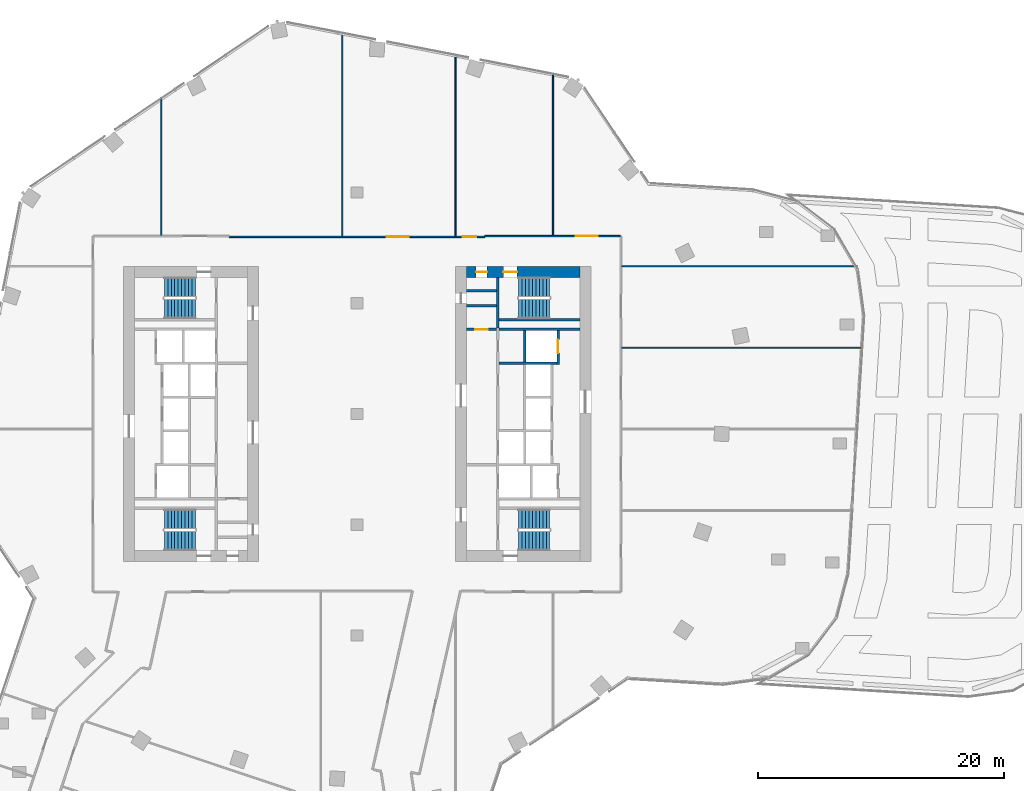
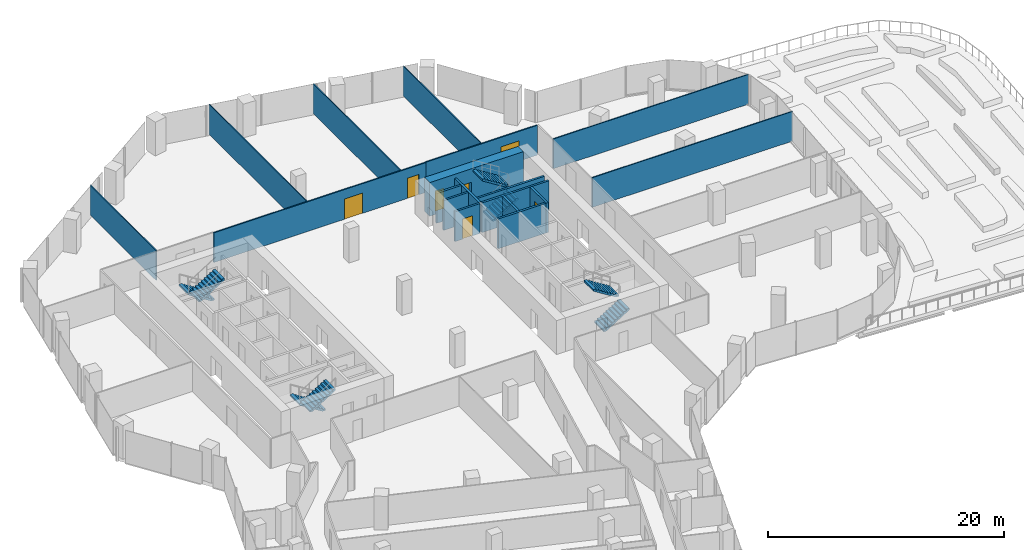
# One storey, part 23 of 26: 18 walls, 8 stair flights, 7 doors, 7 openings, 4 elements without a shape of their own.
"""IFC4 building model written with IfcOpenShell, lengths in metres."""

from ifc_helpers import new_model, si_unit, direction, frame, frame_2d, origin, place, context, subcontext, project, spatial, polyline, rectangle, outline, extrude, material, layer, layer_set, type_object, element, fill, aggregate, save


model = new_model("IFC4")

# Units and contexts
model_context = context("Model", 3, precision=1e-05, world=origin(), true_north=direction((0.0, 1.0)))
body_context = subcontext(model_context, "Body", "Model", "MODEL_VIEW")
ifc_project = project(units=[si_unit("LENGTHUNIT", "METRE"), si_unit("AREAUNIT", "SQUARE_METRE"), si_unit("VOLUMEUNIT", "CUBIC_METRE"), si_unit("PLANEANGLEUNIT", "RADIAN"), si_unit("MASSUNIT", "GRAM", prefix="KILO")], contexts=[model_context])

# Site, building, storey
site_placement = place(None, origin())
site = spatial("IfcSite", under=ifc_project, at=site_placement, CompositionType="ELEMENT")
building_placement = place(site_placement, origin())
building = spatial("IfcBuilding", under=site, at=building_placement, Name="Orlundy Tower", CompositionType="ELEMENT")
storey_placement = place(building_placement, frame((0.0, 0.0, 156.10009765625)))
storey = spatial("IfcBuildingStorey", under=building, at=storey_placement, Name="L40", CompositionType="ELEMENT", Elevation=156.10009765625)

# Wall, openings, doors
ifc_material_1 = material(Name="Concrete C70/85", Category="concrete")
ifc_layer_1 = layer(ifc_material_1, 0.89990234375)
ifc_layer_set_1 = layer_set([ifc_layer_1], Name="CORE WALL 900 C70/85")
wall_type_1 = type_object("IfcWallType", Name="CORE WALL 900 C70/85", PredefinedType="SHEAR", material=ifc_layer_set_1)
wall_1_placement = place(storey_placement, frame((8.89990234375, 11.550048828125, 0.0), z_axis=(0.0, 0.0, 1.0), x_axis=(1.0, 0.0, 0.0)))
wall_1 = element("IfcWall", 1, at=wall_1_placement, inside=storey, type_object=wall_type_1, Name="Core wall E-N L40", PredefinedType="SHEAR", context=body_context, shape_type="SweptSolid", body=[
    extrude(rectangle(XDim=9.2001953125, YDim=0.89990234375, at=frame_2d((4.60009765625, 0.0))), origin(), (0.0, 0.0, 1.0), 3.5),
])
opening_1_placement = place(wall_1_placement, frame((3.0, 0.0, 0.0)))
opening_1 = element("IfcOpeningElement", 2, at=opening_1_placement, cuts=wall_1, Name="Opening 31062", PredefinedType="OPENING", context=body_context, shape_type="SweptSolid", body=[
    extrude(rectangle(XDim=1.10009765625, YDim=2.10009765625, at=frame_2d((0.550048828125, 1.050048828125))), frame((0.0, 0.4599609375, 0.0), z_axis=(0.0, -1.0, 0.0), x_axis=(1.0, 0.0, 0.0)), (0.0, 0.0, 1.0), 0.919921875),
])
opening_2_placement = place(wall_1_placement, frame((0.77001953125, 0.0, 0.0)))
opening_2 = element("IfcOpeningElement", 3, at=opening_2_placement, cuts=wall_1, Name="Opening 31064", PredefinedType="OPENING", context=body_context, shape_type="SweptSolid", body=[
    extrude(rectangle(XDim=0.89990234375, YDim=2.10009765625, at=frame_2d((0.449951171875, 1.050048828125))), frame((0.0, 0.4599609375, 0.0), z_axis=(0.0, -1.0, 0.0), x_axis=(1.0, 0.0, 0.0)), (0.0, 0.0, 1.0), 0.919921875),
])
ifc_material_2 = material(Name="Timber door set", Category="wood")
door_type_1 = type_object("IfcDoorType", Name="Room Door 900x2100", OperationType="SINGLE_SWING_LEFT", PredefinedType="DOOR", material=ifc_material_2)
door_1_placement = place(opening_2_placement, origin())
door_1 = element("IfcDoor", 4, at=door_1_placement, inside=storey, type_object=door_type_1, Name="Store door 31064", OperationType="SINGLE_SWING_LEFT", OverallHeight=2.10009765625, OverallWidth=0.89990234375, PredefinedType="DOOR", context=body_context, shape_type="SweptSolid", body=[
    extrude(rectangle(XDim=0.89990234375, YDim=2.10009765625, at=frame_2d((0.449951171875, 1.050048828125))), frame((0.0, 0.02490234375, 0.0), z_axis=(0.0, -1.0, 0.0), x_axis=(1.0, 0.0, 0.0)), (0.0, 0.0, 1.0), 0.050048828125),
])
fill(opening_2, door_1)
ifc_material_3 = material(Name="Steel door set", Category="steel")
door_type_2 = type_object("IfcDoorType", Name="Stair Door 1100x2100", OperationType="SINGLE_SWING_LEFT", PredefinedType="DOOR", material=ifc_material_3)
door_2_placement = place(opening_1_placement, origin())
door_2 = element("IfcDoor", 5, at=door_2_placement, inside=storey, type_object=door_type_2, Name="Stair door 31062", OperationType="SINGLE_SWING_LEFT", OverallHeight=2.10009765625, OverallWidth=1.10009765625, PredefinedType="DOOR", context=body_context, shape_type="SweptSolid", body=[
    extrude(rectangle(XDim=1.10009765625, YDim=2.10009765625, at=frame_2d((0.550048828125, 1.050048828125))), frame((0.0, 0.02490234375, 0.0), z_axis=(0.0, -1.0, 0.0), x_axis=(1.0, 0.0, 0.0)), (0.0, 0.0, 1.0), 0.050048828125),
])
fill(opening_1, door_2)

# Walls
ifc_material_4 = material(Name="Gypsum board partition")
ifc_layer_2 = layer(ifc_material_4, 0.10009765625)
ifc_layer_set_2 = layer_set([ifc_layer_2], Name="Floor partition 100")
wall_type_2 = type_object("IfcWallType", Name="Floor partition 100", PredefinedType="PARTITIONING", material=ifc_layer_set_2)
wall_2_placement = place(storey_placement, frame((21.511962890625, 5.387939453125, 0.0), z_axis=(0.0, 0.0, 1.0), x_axis=(1.0, 0.0, 0.0)))
element("IfcWall", 6, at=wall_2_placement, inside=storey, type_object=wall_type_2, Name="wall-int-L40-032", PredefinedType="PARTITIONING", context=body_context, shape_type="SweptSolid", body=[
    extrude(rectangle(XDim=19.64306640625, YDim=0.10009765625, at=frame_2d((9.821533203125, 0.0))), origin(), (0.0, 0.0, 1.0), 3.079833984375),
])
wall_3_placement = place(storey_placement, frame((21.511962890625, 12.0, 0.0), z_axis=(0.0, 0.0, 1.0), x_axis=(1.0, 0.0, 0.0)))
element("IfcWall", 7, at=wall_3_placement, inside=storey, type_object=wall_type_2, Name="wall-int-L40-034", PredefinedType="PARTITIONING", context=body_context, shape_type="SweptSolid", body=[
    extrude(rectangle(XDim=19.156982421875, YDim=0.10009765625, at=frame_2d((9.57861328125, 0.0))), origin(), (0.0, 0.0, 1.0), 3.079833984375),
])
wall_4_placement = place(storey_placement, frame((15.9208984375, 14.513916015625, 0.0), z_axis=(0.0, 0.0, 1.0), x_axis=(0.0, 1.0, 0.0)))
element("IfcWall", 8, at=wall_4_placement, inside=storey, type_object=wall_type_2, Name="wall-int-L40-064", PredefinedType="PARTITIONING", context=body_context, shape_type="SweptSolid", body=[
    extrude(rectangle(XDim=13.2080078125, YDim=0.10009765625, at=frame_2d((6.60400390625, 0.0))), origin(), (0.0, 0.0, 1.0), 3.079833984375),
])
wall_5_placement = place(storey_placement, frame((8.0, 14.462890625, 0.0), z_axis=(0.0, 0.0, 1.0), x_axis=(0.0, 1.0, 0.0)))
element("IfcWall", 9, at=wall_5_placement, inside=storey, type_object=wall_type_2, Name="wall-int-L40-066", PredefinedType="PARTITIONING", context=body_context, shape_type="SweptSolid", body=[
    extrude(rectangle(XDim=14.798095703125, YDim=0.10009765625, at=frame_2d((7.39892578125, 0.0))), origin(), (0.0, 0.0, 1.0), 3.079833984375),
])
wall_6_placement = place(storey_placement, frame((-1.195068359375, 14.462890625, 0.0), z_axis=(0.0, 0.0, 1.0), x_axis=(0.0, 1.0, 0.0)))
element("IfcWall", 10, at=wall_6_placement, inside=storey, type_object=wall_type_2, Name="wall-int-L40-067", PredefinedType="PARTITIONING", context=body_context, shape_type="SweptSolid", body=[
    extrude(rectangle(XDim=16.585205078125, YDim=0.10009765625, at=frame_2d((8.29248046875, 0.0))), origin(), (0.0, 0.0, 1.0), 3.079833984375),
])
wall_7_placement = place(storey_placement, frame((-15.919921875, 14.513916015625, 0.0), z_axis=(0.0, 0.0, 1.0), x_axis=(0.0, 1.0, 0.0)))
element("IfcWall", 11, at=wall_7_placement, inside=storey, type_object=wall_type_2, Name="wall-int-L40-069", PredefinedType="PARTITIONING", context=body_context, shape_type="SweptSolid", body=[
    extrude(rectangle(XDim=11.236083984375, YDim=0.10009765625, at=frame_2d((5.6181640625, 0.0))), origin(), (0.0, 0.0, 1.0), 3.079833984375),
])

# Wall, openings, doors
ifc_material_5 = material(Name="Gypsum board partition, double layer")
ifc_layer_3 = layer(ifc_material_5, 0.125)
ifc_layer_set_3 = layer_set([ifc_layer_3], Name="Floor partition 125")
wall_type_3 = type_object("IfcWallType", Name="Floor partition 125", PredefinedType="PARTITIONING", material=ifc_layer_set_3)
wall_8_placement = place(storey_placement, frame((-10.389892578125, 14.40087890625, 0.0), z_axis=(0.0, 0.0, 1.0), x_axis=(1.0, 0.0, 0.0)))
wall_8 = element("IfcWall", 12, at=wall_8_placement, inside=storey, type_object=wall_type_3, Name="wall-int-L40-035", PredefinedType="PARTITIONING", context=body_context, shape_type="SweptSolid", body=[
    extrude(rectangle(XDim=20.781005859375, YDim=0.125, at=frame_2d((10.390625, 0.0))), origin(), (0.0, 0.0, 1.0), 3.079833984375),
])
opening_3_placement = place(wall_8_placement, frame((18.989990234375, 0.0, 0.0)))
opening_3 = element("IfcOpeningElement", 13, at=opening_3_placement, cuts=wall_8, Name="Opening 31123", PredefinedType="OPENING", context=body_context, shape_type="SweptSolid", body=[
    extrude(rectangle(XDim=1.10009765625, YDim=2.10009765625, at=frame_2d((0.550048828125, 1.050048828125))), frame((0.0, 0.072509765625, 0.0), z_axis=(0.0, -1.0, 0.0), x_axis=(1.0, 0.0, 0.0)), (0.0, 0.0, 1.0), 0.14501953125),
])
opening_4_placement = place(wall_8_placement, frame((12.794921875, 0.0, 0.0)))
opening_4 = element("IfcOpeningElement", 14, at=opening_4_placement, cuts=wall_8, Name="Opening 31124", PredefinedType="OPENING", context=body_context, shape_type="SweptSolid", body=[
    extrude(rectangle(XDim=1.800048828125, YDim=2.10009765625, at=frame_2d((0.89990234375, 1.050048828125))), frame((0.0, 0.072509765625, 0.0), z_axis=(0.0, -1.0, 0.0), x_axis=(1.0, 0.0, 0.0)), (0.0, 0.0, 1.0), 0.14501953125),
])
ifc_material_6 = material(Name="Timber door leaf", Category="wood")
door_type_3 = type_object("IfcDoorType", Name="Floor door double 1800 FD30S", OperationType="NOTDEFINED", PredefinedType="DOOR", material=ifc_material_6)
door_3_placement = place(opening_4_placement, origin())
door_3 = element("IfcDoor", 15, at=door_3_placement, inside=storey, type_object=door_type_3, Name="Door 31124", OperationType="DOUBLE_DOOR_SINGLE_SWING", OverallHeight=2.10009765625, OverallWidth=1.800048828125, PredefinedType="DOOR", context=body_context, shape_type="SweptSolid", body=[
    extrude(rectangle(XDim=1.800048828125, YDim=2.10009765625, at=frame_2d((0.89990234375, 1.050048828125))), frame((0.0, 0.02490234375, 0.0), z_axis=(0.0, -1.0, 0.0), x_axis=(1.0, 0.0, 0.0)), (0.0, 0.0, 1.0), 0.050048828125),
])
fill(opening_4, door_3)
ifc_material_7 = material(Name="Timber door leaf", Category="wood")
door_type_4 = type_object("IfcDoorType", Name="Floor door xwide 1100 FD30S", OperationType="NOTDEFINED", PredefinedType="DOOR", material=ifc_material_7)
door_4_placement = place(opening_3_placement, origin())
door_4 = element("IfcDoor", 16, at=door_4_placement, inside=storey, type_object=door_type_4, Name="Door 31123", OperationType="SINGLE_SWING_RIGHT", OverallHeight=2.10009765625, OverallWidth=1.10009765625, PredefinedType="DOOR", context=body_context, shape_type="SweptSolid", body=[
    extrude(rectangle(XDim=1.10009765625, YDim=2.10009765625, at=frame_2d((0.550048828125, 1.050048828125))), frame((0.0, 0.02490234375, 0.0), z_axis=(0.0, -1.0, 0.0), x_axis=(1.0, 0.0, 0.0)), (0.0, 0.0, 1.0), 0.050048828125),
])
fill(opening_3, door_4)

# Wall, opening, door
wall_9_placement = place(storey_placement, frame((10.39111328125, 14.450927734375, 0.0), z_axis=(0.0, 0.0, 1.0), x_axis=(1.0, 0.0, 0.0)))
wall_9 = element("IfcWall", 17, at=wall_9_placement, inside=storey, type_object=wall_type_3, Name="wall-int-L40-037", PredefinedType="PARTITIONING", context=body_context, shape_type="SweptSolid", body=[
    extrude(rectangle(XDim=10.995849609375, YDim=0.125, at=frame_2d((5.498046875, 0.0))), origin(), (0.0, 0.0, 1.0), 3.079833984375),
])
opening_5_placement = place(wall_9_placement, frame((7.3798828125, 0.0, 0.0)))
opening_5 = element("IfcOpeningElement", 18, at=opening_5_placement, cuts=wall_9, Name="Opening 31122", PredefinedType="OPENING", context=body_context, shape_type="SweptSolid", body=[
    extrude(rectangle(XDim=1.800048828125, YDim=2.10009765625, at=frame_2d((0.89990234375, 1.050048828125))), frame((0.0, 0.072509765625, 0.0), z_axis=(0.0, -1.0, 0.0), x_axis=(1.0, 0.0, 0.0)), (0.0, 0.0, 1.0), 0.14501953125),
])
door_5_placement = place(opening_5_placement, origin())
door_5 = element("IfcDoor", 19, at=door_5_placement, inside=storey, type_object=door_type_3, Name="Door 31122", OperationType="DOUBLE_DOOR_SINGLE_SWING", OverallHeight=2.10009765625, OverallWidth=1.800048828125, PredefinedType="DOOR", context=body_context, shape_type="SweptSolid", body=[
    extrude(rectangle(XDim=1.800048828125, YDim=2.10009765625, at=frame_2d((0.89990234375, 1.050048828125))), frame((0.0, 0.02490234375, 0.0), z_axis=(0.0, -1.0, 0.0), x_axis=(1.0, 0.0, 0.0)), (0.0, 0.0, 1.0), 0.050048828125),
])
fill(opening_5, door_5)

# Walls
ifc_material_8 = material(Name="Concrete C40/50", Category="concrete")
ifc_layer_4 = layer(ifc_material_8, 0.199951171875)
ifc_layer_set_4 = layer_set([ifc_layer_4], Name="Load-bearing Shaft Wall 200")
wall_type_4 = type_object("IfcWallType", Name="Load-bearing Shaft Wall 200", PredefinedType="SOLIDWALL", material=ifc_layer_set_4)
wall_10_placement = place(storey_placement, frame((11.43994140625, 11.10009765625, 0.0), z_axis=(0.0, 0.0, 1.0), x_axis=(0.0, -1.0, 0.0)))
element("IfcWall", 20, at=wall_10_placement, inside=storey, type_object=wall_type_4, Name="Shaft wall E31-stair-end-s", PredefinedType="SOLIDWALL", context=body_context, shape_type="SweptSolid", body=[
    extrude(rectangle(XDim=4.125, YDim=0.199951171875, at=frame_2d((2.0625, 0.0))), origin(), (0.0, 0.0, 1.0), 3.08984375),
])
wall_11_placement = place(storey_placement, frame((11.5400390625, 7.64990234375, 0.0), z_axis=(0.0, 0.0, 1.0), x_axis=(1.0, 0.0, 0.0)))
element("IfcWall", 21, at=wall_11_placement, inside=storey, type_object=wall_type_4, Name="Shaft wall E31-stair-side-s", PredefinedType="SOLIDWALL", context=body_context, shape_type="SweptSolid", body=[
    extrude(rectangle(XDim=6.56005859375, YDim=0.199951171875, at=frame_2d((3.280029296875, 0.0))), origin(), (0.0, 0.0, 1.0), 3.08984375),
])

# Wall, opening, door
ifc_material_9 = material(Name="Gypsum board partition on steel studs", Category="steel")
ifc_layer_5 = layer(ifc_material_9, 0.199951171875)
ifc_layer_set_5 = layer_set([ifc_layer_5], Name="Partition 200")
wall_type_5 = type_object("IfcWallType", Name="Partition 200", PredefinedType="PARTITIONING", material=ifc_layer_set_5)
wall_12_placement = place(storey_placement, frame((8.89990234375, 6.875, 0.0), z_axis=(0.0, 0.0, 1.0), x_axis=(1.0, 0.0, 0.0)))
wall_12 = element("IfcWall", 22, at=wall_12_placement, inside=storey, type_object=wall_type_5, Name="Partition wall E31-end-s", PredefinedType="PARTITIONING", context=body_context, shape_type="SweptSolid", body=[
    extrude(rectangle(XDim=2.440185546875, YDim=0.199951171875, at=frame_2d((1.22021484375, 0.0))), origin(), (0.0, 0.0, 1.0), 3.08984375),
])
opening_6_placement = place(wall_12_placement, frame((0.719970703125, 0.0, 0.0)))
opening_6 = element("IfcOpeningElement", 23, at=opening_6_placement, cuts=wall_12, Name="Opening 31066", PredefinedType="OPENING", context=body_context, shape_type="SweptSolid", body=[
    extrude(rectangle(XDim=1.0, YDim=2.10009765625, at=frame_2d((0.5, 1.050048828125))), frame((0.0, 0.110107421875, 0.0), z_axis=(0.0, -1.0, 0.0), x_axis=(1.0, 0.0, 0.0)), (0.0, 0.0, 1.0), 0.22021484375),
])
ifc_material_10 = material(Name="Timber door set", Category="wood")
door_type_5 = type_object("IfcDoorType", Name="Accessible Door 1000x2100", OperationType="SINGLE_SWING_LEFT", PredefinedType="DOOR", material=ifc_material_10)
door_6_placement = place(opening_6_placement, origin())
door_6 = element("IfcDoor", 24, at=door_6_placement, inside=storey, type_object=door_type_5, Name="Accessible WC door 31066", OperationType="SINGLE_SWING_RIGHT", OverallHeight=2.10009765625, OverallWidth=1.0, PredefinedType="DOOR", context=body_context, shape_type="SweptSolid", body=[
    extrude(rectangle(XDim=1.0, YDim=2.10009765625, at=frame_2d((0.5, 1.050048828125))), frame((0.0, 0.02490234375, 0.0), z_axis=(0.0, -1.0, 0.0), x_axis=(1.0, 0.0, 0.0)), (0.0, 0.0, 1.0), 0.050048828125),
])
fill(opening_6, door_6)

# Walls
for number, where, z_axis, x_axis, name in (
    (25, (8.89990234375, 10.0, 0.0), (0.0, 0.0, 1.0), (1.0, 0.0, 0.0), "Partition wall E31-room-s0"),
    (26, (8.89990234375, 8.800048828125, 0.0), (0.0, 0.0, 1.0), (1.0, 0.0, 0.0), "Partition wall E31-room-s1"),
):
    element("IfcWall", number, at=place(storey_placement, frame(where, z_axis=z_axis, x_axis=x_axis)), inside=storey, type_object=wall_type_5, Name=name, PredefinedType="PARTITIONING", context=body_context, shape_type="SweptSolid", body=[
        extrude(rectangle(XDim=2.440185546875, YDim=0.199951171875, at=frame_2d((1.22021484375, 0.0))), origin(), (0.0, 0.0, 1.0), 3.08984375),
    ])
ifc_material_11 = material(Name="Fire-rated blockwork shaft wall", Category="masonry")
ifc_layer_6 = layer(ifc_material_11, 0.199951171875)
ifc_layer_set_6 = layer_set([ifc_layer_6], Name="Shaft Wall 200")
wall_type_6 = type_object("IfcWallType", Name="Shaft Wall 200", PredefinedType="SOLIDWALL", material=ifc_layer_set_6)
wall_13_placement = place(storey_placement, frame((11.5400390625, 6.875, 0.0), z_axis=(0.0, 0.0, 1.0), x_axis=(1.0, 0.0, 0.0)))
element("IfcWall", 27, at=wall_13_placement, inside=storey, type_object=wall_type_6, Name="Shaft wall E31-zone-s", PredefinedType="SOLIDWALL", context=body_context, shape_type="SweptSolid", body=[
    extrude(rectangle(XDim=6.56005859375, YDim=0.199951171875, at=frame_2d((3.280029296875, 0.0))), origin(), (0.0, 0.0, 1.0), 3.08984375),
])
wall_14_placement = place(storey_placement, frame((11.5400390625, 4.125, 0.0), z_axis=(0.0, 0.0, 1.0), x_axis=(1.0, 0.0, 0.0)))
element("IfcWall", 28, at=wall_14_placement, inside=storey, type_object=wall_type_6, Name="Shaft wall E31-cross-4.125", PredefinedType="SOLIDWALL", context=body_context, shape_type="SweptSolid", body=[
    extrude(rectangle(XDim=4.699951171875, YDim=0.199951171875, at=frame_2d((2.35009765625, 0.0))), origin(), (0.0, 0.0, 1.0), 3.08984375),
])
wall_15_placement = place(storey_placement, frame((13.639892578125, 6.77490234375, 0.0), z_axis=(0.0, 0.0, 1.0), x_axis=(0.0, -1.0, 0.0)))
element("IfcWall", 29, at=wall_15_placement, inside=storey, type_object=wall_type_6, Name="Shaft wall E31-mid-a", PredefinedType="SOLIDWALL", context=body_context, shape_type="SweptSolid", body=[
    extrude(rectangle(XDim=2.5498046875, YDim=0.199951171875, at=frame_2d((1.27490234375, 0.0))), origin(), (0.0, 0.0, 1.0), 3.08984375),
])

# Wall, opening, door
wall_16_placement = place(storey_placement, frame((16.340087890625, 6.77490234375, 0.0), z_axis=(0.0, 0.0, 1.0), x_axis=(0.0, -1.0, 0.0)))
wall_16 = element("IfcWall", 30, at=wall_16_placement, inside=storey, type_object=wall_type_6, Name="Shaft wall E31-front-o-a", PredefinedType="SOLIDWALL", context=body_context, shape_type="SweptSolid", body=[
    extrude(rectangle(XDim=2.75, YDim=0.199951171875, at=frame_2d((1.375, 0.0))), origin(), (0.0, 0.0, 1.0), 3.08984375),
])
opening_7_placement = place(wall_16_placement, frame((0.72509765625, 0.0, 0.0)))
opening_7 = element("IfcOpeningElement", 31, at=opening_7_placement, cuts=wall_16, Name="Opening 31050", PredefinedType="OPENING", context=body_context, shape_type="SweptSolid", body=[
    extrude(rectangle(XDim=1.10009765625, YDim=2.10009765625, at=frame_2d((0.550048828125, 1.050048828125))), frame((0.0, 0.110107421875, 0.0), z_axis=(0.0, -1.0, 0.0), x_axis=(1.0, 0.0, 0.0)), (0.0, 0.0, 1.0), 0.22021484375),
])
ifc_material_12 = material(Name="Steel door set", Category="steel")
door_type_6 = type_object("IfcDoorType", Name="Landing Door 1100x2100", OperationType="DOUBLE_DOOR_SLIDING", PredefinedType="DOOR", material=ifc_material_12)
door_7_placement = place(opening_7_placement, origin())
door_7 = element("IfcDoor", 32, at=door_7_placement, inside=storey, type_object=door_type_6, Name="Lift landing door LV-02 31050", OperationType="DOUBLE_DOOR_SLIDING", OverallHeight=2.10009765625, OverallWidth=1.10009765625, PredefinedType="DOOR", context=body_context, shape_type="SweptSolid", body=[
    extrude(rectangle(XDim=1.10009765625, YDim=2.10009765625, at=frame_2d((0.550048828125, 1.050048828125))), frame((0.0, 0.02490234375, 0.0), z_axis=(0.0, -1.0, 0.0), x_axis=(1.0, 0.0, 0.0)), (0.0, 0.0, 1.0), 0.050048828125),
])
fill(opening_7, door_7)

# Stair, stair flights
ifc_material_13 = material(Name="Concrete C50/60", Category="concrete")
stair_type = type_object("IfcStairType", Name="Exit Stair 20 risers", PredefinedType="HALF_TURN_STAIR", material=ifc_material_13)
stair_1_placement = place(storey_placement, origin())
stair_1 = element("IfcStair", 33, at=stair_1_placement, inside=storey, type_object=stair_type, Name="L40 Exit Stair ST-W1", PredefinedType="HALF_TURN_STAIR")
ifc_material_14 = material(Name="Concrete C50/60", Category="concrete")
stair_flight_type = type_object("IfcStairFlightType", Name="Stair Flight 10 risers", PredefinedType="STRAIGHT", material=ifc_material_14)
stair_flight_1_placement = place(storey_placement, frame((-13.139892578125, 10.300048828125, 0.0), z_axis=(0.0, 0.0, 1.0), x_axis=(-1.0, 0.0, 0.0)))
stair_flight_1 = element("IfcStairFlight", 34, at=stair_flight_1_placement, type_object=stair_flight_type, Name="ST-W1 flight 1", NumberOfRisers=10, NumberOfTreads=9, PredefinedType="STRAIGHT", RiserHeight=0.175, TreadLength=0.28, context=body_context, shape_type="SweptSolid", body=[
    extrude(outline(polyline([(0.0, 0.0), (0.0, 0.175048828125), (0.280029296875, 0.175048828125), (0.280029296875, 0.35009765625), (0.56005859375, 0.35009765625), (0.56005859375, 0.52490234375), (0.840087890625, 0.52490234375), (0.840087890625, 0.699951171875), (1.1201171875, 0.699951171875), (1.1201171875, 0.875), (1.39990234375, 0.875), (1.39990234375, 1.050048828125), (1.679931640625, 1.050048828125), (1.679931640625, 1.22509765625), (1.9599609375, 1.22509765625), (1.9599609375, 1.39990234375), (2.239990234375, 1.39990234375), (2.239990234375, 1.574951171875), (2.52001953125, 1.574951171875), (2.52001953125, 1.75), (2.52001953125, 1.398193359375), (0.28271484375, 0.0), (0.0, 0.0)])), frame((0.0, 0.800048828125, 0.0), z_axis=(0.0, -1.0, 0.0), x_axis=(1.0, 0.0, 0.0)), (0.0, 0.0, 1.0), 1.60009765625),
])
stair_flight_2_placement = place(storey_placement, frame((-15.659912109375, 8.550048828125, 1.75), z_axis=(0.0, 0.0, 1.0), x_axis=(1.0, 0.0, 0.0)))
stair_flight_2 = element("IfcStairFlight", 35, at=stair_flight_2_placement, type_object=stair_flight_type, Name="ST-W1 flight 2", NumberOfRisers=10, NumberOfTreads=9, PredefinedType="STRAIGHT", RiserHeight=0.175, TreadLength=0.28, context=body_context, shape_type="SweptSolid", body=[
    extrude(outline(polyline([(0.0, 0.0), (0.0, 0.175048828125), (0.280029296875, 0.175048828125), (0.280029296875, 0.35009765625), (0.56005859375, 0.35009765625), (0.56005859375, 0.52490234375), (0.840087890625, 0.52490234375), (0.840087890625, 0.699951171875), (1.1201171875, 0.699951171875), (1.1201171875, 0.875), (1.39990234375, 0.875), (1.39990234375, 1.050048828125), (1.679931640625, 1.050048828125), (1.679931640625, 1.22509765625), (1.9599609375, 1.22509765625), (1.9599609375, 1.39990234375), (2.239990234375, 1.39990234375), (2.239990234375, 1.574951171875), (2.52001953125, 1.574951171875), (2.52001953125, 1.75), (2.52001953125, 1.398193359375), (0.28271484375, 0.0), (0.0, 0.0)])), frame((0.0, 0.800048828125, 0.0), z_axis=(0.0, -1.0, 0.0), x_axis=(1.0, 0.0, 0.0)), (0.0, 0.0, 1.0), 1.60009765625),
])
aggregate(stair_1, [stair_flight_1, stair_flight_2])

stair_2_placement = place(storey_placement, origin())
stair_2 = element("IfcStair", 36, at=stair_2_placement, inside=storey, type_object=stair_type, Name="L40 Exit Stair ST-W2", PredefinedType="HALF_TURN_STAIR")
stair_flight_3_placement = place(storey_placement, frame((-13.139892578125, -8.550048828125, 0.0), z_axis=(0.0, 0.0, 1.0), x_axis=(-1.0, 0.0, 0.0)))
stair_flight_3 = element("IfcStairFlight", 37, at=stair_flight_3_placement, type_object=stair_flight_type, Name="ST-W2 flight 1", NumberOfRisers=10, NumberOfTreads=9, PredefinedType="STRAIGHT", RiserHeight=0.175, TreadLength=0.28, context=body_context, shape_type="SweptSolid", body=[
    extrude(outline(polyline([(0.0, 0.0), (0.0, 0.175048828125), (0.280029296875, 0.175048828125), (0.280029296875, 0.35009765625), (0.56005859375, 0.35009765625), (0.56005859375, 0.52490234375), (0.840087890625, 0.52490234375), (0.840087890625, 0.699951171875), (1.1201171875, 0.699951171875), (1.1201171875, 0.875), (1.39990234375, 0.875), (1.39990234375, 1.050048828125), (1.679931640625, 1.050048828125), (1.679931640625, 1.22509765625), (1.9599609375, 1.22509765625), (1.9599609375, 1.39990234375), (2.239990234375, 1.39990234375), (2.239990234375, 1.574951171875), (2.52001953125, 1.574951171875), (2.52001953125, 1.75), (2.52001953125, 1.398193359375), (0.28271484375, 0.0), (0.0, 0.0)])), frame((0.0, 0.800048828125, 0.0), z_axis=(0.0, -1.0, 0.0), x_axis=(1.0, 0.0, 0.0)), (0.0, 0.0, 1.0), 1.60009765625),
])
stair_flight_4_placement = place(storey_placement, frame((-15.659912109375, -10.300048828125, 1.75), z_axis=(0.0, 0.0, 1.0), x_axis=(1.0, 0.0, 0.0)))
stair_flight_4 = element("IfcStairFlight", 38, at=stair_flight_4_placement, type_object=stair_flight_type, Name="ST-W2 flight 2", NumberOfRisers=10, NumberOfTreads=9, PredefinedType="STRAIGHT", RiserHeight=0.175, TreadLength=0.28, context=body_context, shape_type="SweptSolid", body=[
    extrude(outline(polyline([(0.0, 0.0), (0.0, 0.175048828125), (0.280029296875, 0.175048828125), (0.280029296875, 0.35009765625), (0.56005859375, 0.35009765625), (0.56005859375, 0.52490234375), (0.840087890625, 0.52490234375), (0.840087890625, 0.699951171875), (1.1201171875, 0.699951171875), (1.1201171875, 0.875), (1.39990234375, 0.875), (1.39990234375, 1.050048828125), (1.679931640625, 1.050048828125), (1.679931640625, 1.22509765625), (1.9599609375, 1.22509765625), (1.9599609375, 1.39990234375), (2.239990234375, 1.39990234375), (2.239990234375, 1.574951171875), (2.52001953125, 1.574951171875), (2.52001953125, 1.75), (2.52001953125, 1.398193359375), (0.28271484375, 0.0), (0.0, 0.0)])), frame((0.0, 0.800048828125, 0.0), z_axis=(0.0, -1.0, 0.0), x_axis=(1.0, 0.0, 0.0)), (0.0, 0.0, 1.0), 1.60009765625),
])
aggregate(stair_2, [stair_flight_3, stair_flight_4])

stair_3_placement = place(storey_placement, origin())
stair_3 = element("IfcStair", 39, at=stair_3_placement, inside=storey, type_object=stair_type, Name="L40 Exit Stair ST-E1", PredefinedType="HALF_TURN_STAIR")
stair_flight_5_placement = place(storey_placement, frame((13.139892578125, -10.300048828125, 0.0), z_axis=(0.0, 0.0, 1.0), x_axis=(1.0, 0.0, 0.0)))
stair_flight_5 = element("IfcStairFlight", 40, at=stair_flight_5_placement, type_object=stair_flight_type, Name="ST-E1 flight 1", NumberOfRisers=10, NumberOfTreads=9, PredefinedType="STRAIGHT", RiserHeight=0.175, TreadLength=0.28, context=body_context, shape_type="SweptSolid", body=[
    extrude(outline(polyline([(0.0, 0.0), (0.0, 0.175048828125), (0.280029296875, 0.175048828125), (0.280029296875, 0.35009765625), (0.56005859375, 0.35009765625), (0.56005859375, 0.52490234375), (0.840087890625, 0.52490234375), (0.840087890625, 0.699951171875), (1.1201171875, 0.699951171875), (1.1201171875, 0.875), (1.39990234375, 0.875), (1.39990234375, 1.050048828125), (1.679931640625, 1.050048828125), (1.679931640625, 1.22509765625), (1.9599609375, 1.22509765625), (1.9599609375, 1.39990234375), (2.239990234375, 1.39990234375), (2.239990234375, 1.574951171875), (2.52001953125, 1.574951171875), (2.52001953125, 1.75), (2.52001953125, 1.398193359375), (0.28271484375, 0.0), (0.0, 0.0)])), frame((0.0, 0.800048828125, 0.0), z_axis=(0.0, -1.0, 0.0), x_axis=(1.0, 0.0, 0.0)), (0.0, 0.0, 1.0), 1.60009765625),
])
stair_flight_6_placement = place(storey_placement, frame((15.659912109375, -8.550048828125, 1.75), z_axis=(0.0, 0.0, 1.0), x_axis=(-1.0, 0.0, 0.0)))
stair_flight_6 = element("IfcStairFlight", 41, at=stair_flight_6_placement, type_object=stair_flight_type, Name="ST-E1 flight 2", NumberOfRisers=10, NumberOfTreads=9, PredefinedType="STRAIGHT", RiserHeight=0.175, TreadLength=0.28, context=body_context, shape_type="SweptSolid", body=[
    extrude(outline(polyline([(0.0, 0.0), (0.0, 0.175048828125), (0.280029296875, 0.175048828125), (0.280029296875, 0.35009765625), (0.56005859375, 0.35009765625), (0.56005859375, 0.52490234375), (0.840087890625, 0.52490234375), (0.840087890625, 0.699951171875), (1.1201171875, 0.699951171875), (1.1201171875, 0.875), (1.39990234375, 0.875), (1.39990234375, 1.050048828125), (1.679931640625, 1.050048828125), (1.679931640625, 1.22509765625), (1.9599609375, 1.22509765625), (1.9599609375, 1.39990234375), (2.239990234375, 1.39990234375), (2.239990234375, 1.574951171875), (2.52001953125, 1.574951171875), (2.52001953125, 1.75), (2.52001953125, 1.398193359375), (0.28271484375, 0.0), (0.0, 0.0)])), frame((0.0, 0.800048828125, 0.0), z_axis=(0.0, -1.0, 0.0), x_axis=(1.0, 0.0, 0.0)), (0.0, 0.0, 1.0), 1.60009765625),
])
aggregate(stair_3, [stair_flight_5, stair_flight_6])

stair_4_placement = place(storey_placement, origin())
stair_4 = element("IfcStair", 42, at=stair_4_placement, inside=storey, type_object=stair_type, Name="L40 Exit Stair ST-E2", PredefinedType="HALF_TURN_STAIR")
stair_flight_7_placement = place(storey_placement, frame((13.139892578125, 8.550048828125, 0.0), z_axis=(0.0, 0.0, 1.0), x_axis=(1.0, 0.0, 0.0)))
stair_flight_7 = element("IfcStairFlight", 43, at=stair_flight_7_placement, type_object=stair_flight_type, Name="ST-E2 flight 1", NumberOfRisers=10, NumberOfTreads=9, PredefinedType="STRAIGHT", RiserHeight=0.175, TreadLength=0.28, context=body_context, shape_type="SweptSolid", body=[
    extrude(outline(polyline([(0.0, 0.0), (0.0, 0.175048828125), (0.280029296875, 0.175048828125), (0.280029296875, 0.35009765625), (0.56005859375, 0.35009765625), (0.56005859375, 0.52490234375), (0.840087890625, 0.52490234375), (0.840087890625, 0.699951171875), (1.1201171875, 0.699951171875), (1.1201171875, 0.875), (1.39990234375, 0.875), (1.39990234375, 1.050048828125), (1.679931640625, 1.050048828125), (1.679931640625, 1.22509765625), (1.9599609375, 1.22509765625), (1.9599609375, 1.39990234375), (2.239990234375, 1.39990234375), (2.239990234375, 1.574951171875), (2.52001953125, 1.574951171875), (2.52001953125, 1.75), (2.52001953125, 1.398193359375), (0.28271484375, 0.0), (0.0, 0.0)])), frame((0.0, 0.800048828125, 0.0), z_axis=(0.0, -1.0, 0.0), x_axis=(1.0, 0.0, 0.0)), (0.0, 0.0, 1.0), 1.60009765625),
])
stair_flight_8_placement = place(storey_placement, frame((15.659912109375, 10.300048828125, 1.75), z_axis=(0.0, 0.0, 1.0), x_axis=(-1.0, 0.0, 0.0)))
stair_flight_8 = element("IfcStairFlight", 44, at=stair_flight_8_placement, type_object=stair_flight_type, Name="ST-E2 flight 2", NumberOfRisers=10, NumberOfTreads=9, PredefinedType="STRAIGHT", RiserHeight=0.175, TreadLength=0.28, context=body_context, shape_type="SweptSolid", body=[
    extrude(outline(polyline([(0.0, 0.0), (0.0, 0.175048828125), (0.280029296875, 0.175048828125), (0.280029296875, 0.35009765625), (0.56005859375, 0.35009765625), (0.56005859375, 0.52490234375), (0.840087890625, 0.52490234375), (0.840087890625, 0.699951171875), (1.1201171875, 0.699951171875), (1.1201171875, 0.875), (1.39990234375, 0.875), (1.39990234375, 1.050048828125), (1.679931640625, 1.050048828125), (1.679931640625, 1.22509765625), (1.9599609375, 1.22509765625), (1.9599609375, 1.39990234375), (2.239990234375, 1.39990234375), (2.239990234375, 1.574951171875), (2.52001953125, 1.574951171875), (2.52001953125, 1.75), (2.52001953125, 1.398193359375), (0.28271484375, 0.0), (0.0, 0.0)])), frame((0.0, 0.800048828125, 0.0), z_axis=(0.0, -1.0, 0.0), x_axis=(1.0, 0.0, 0.0)), (0.0, 0.0, 1.0), 1.60009765625),
])
aggregate(stair_4, [stair_flight_7, stair_flight_8])

save(model, "model.ifc")
